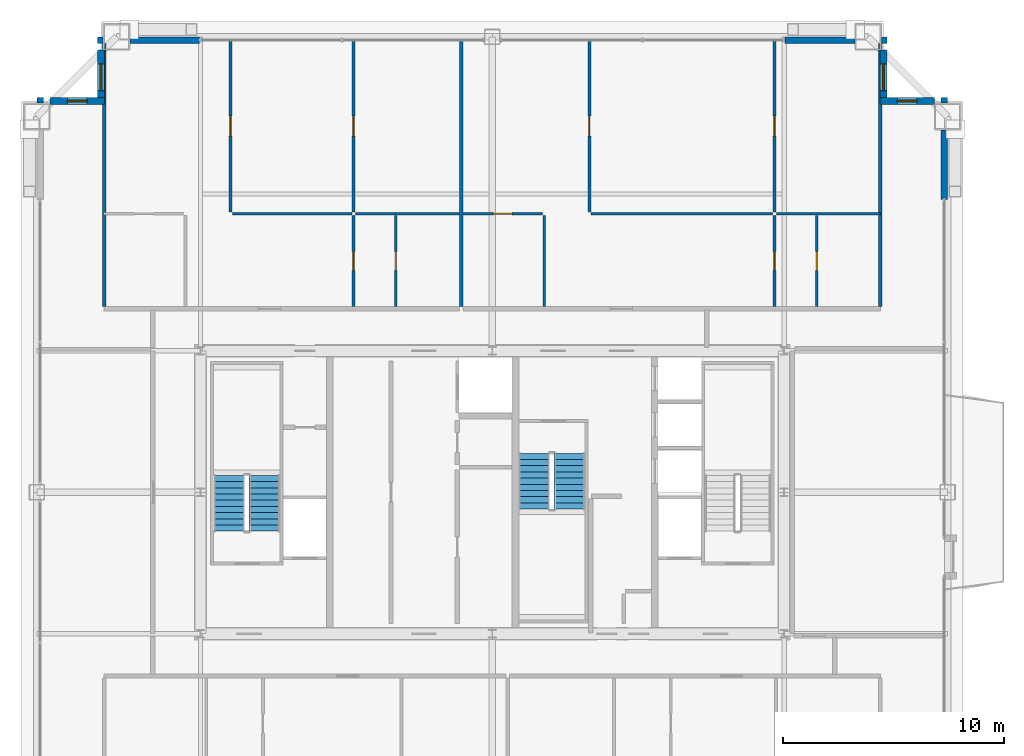
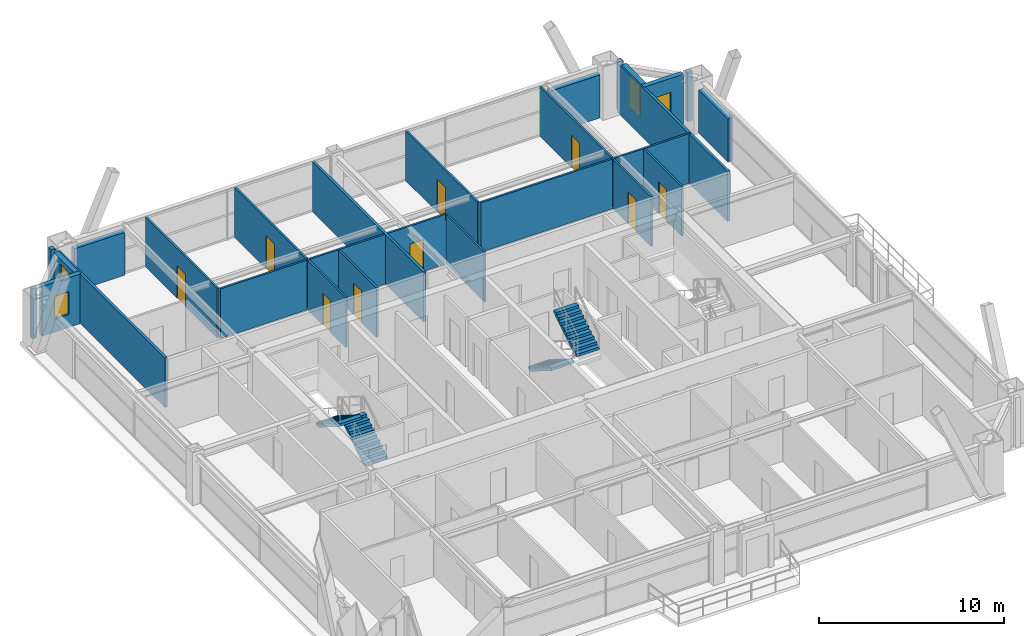
# One storey, part 35 of 37: 28 walls, 9 doors, 4 stair flights, 4 windows, 13 openings, 2 elements without a shape of their own.
"""IFC4 building model written with IfcOpenShell, lengths in metres."""

from ifc_helpers import new_model, si_unit, direction, frame, frame_2d, origin, place, context, subcontext, project, spatial, polyline, rectangle, outline, extrude, source, transform, mapped, material, layer, layer_set, type_object, element, fill, aggregate, save


model = new_model("IFC4")

# Units and contexts
model_context = context("Model", 3, precision=1e-05, world=origin(), true_north=direction((0.0, 1.0)))
body_context = subcontext(model_context, "Body", "Model", "MODEL_VIEW")
ifc_project = project(units=[si_unit("LENGTHUNIT", "METRE"), si_unit("AREAUNIT", "SQUARE_METRE"), si_unit("VOLUMEUNIT", "CUBIC_METRE"), si_unit("PLANEANGLEUNIT", "RADIAN"), si_unit("MASSUNIT", "GRAM", prefix="KILO"), si_unit("THERMODYNAMICTEMPERATUREUNIT", "KELVIN"), si_unit("POWERUNIT", "WATT")], contexts=[model_context])

# Site, building, storey
site_placement = place(None, origin())
site = spatial("IfcSite", under=ifc_project, at=site_placement, CompositionType="ELEMENT")
building_placement = place(site_placement, origin())
building = spatial("IfcBuilding", under=site, at=building_placement, Name="Yuzanri Waterfront Tower", CompositionType="ELEMENT")
storey_placement = place(building_placement, frame((0.0, 0.0, 278.60009765625)))
storey = spatial("IfcBuildingStorey", under=building, at=storey_placement, Name="L74", CompositionType="ELEMENT", Elevation=278.60009765625)

# Wall, opening, door
ifc_material_1 = material(Name="Moisture-Resistant Gypsum Stud Wall", Category="gypsum")
ifc_layer_1 = layer(ifc_material_1, 0.1201171875)
ifc_layer_set_1 = layer_set([ifc_layer_1], Name="Moisture-Resistant Gypsum Stud Wall")
wall_type_1 = type_object("IfcWallType", Name="Bathroom and Kitchen Wet Partition 120", PredefinedType="PARTITIONING", material=ifc_layer_set_1)
wall_1_placement = place(storey_placement, frame((32.635009765625, 34.2099609375, 0.0), z_axis=(0.0, 0.0, 1.0), x_axis=(0.0, 1.0, 0.0)))
wall_1 = element("IfcWall", 1, at=wall_1_placement, inside=storey, type_object=wall_type_1, Name="L74 Partition UW-L74-HN1-SUB-2-W", PredefinedType="PARTITIONING", context=body_context, shape_type="SweptSolid", body=[
    extrude(rectangle(XDim=4.110107421875, YDim=0.1201171875, at=frame_2d((2.05517578125, 0.0))), origin(), (0.0, 0.0, 1.0), 3.27978515625),
])
opening_1_placement = place(wall_1_placement, frame((1.6298828125, 0.0, 0.0)))
opening_1 = element("IfcOpeningElement", 2, at=opening_1_placement, cuts=wall_1, Name="Opening ID-0850", PredefinedType="OPENING", context=body_context, shape_type="SweptSolid", body=[
    extrude(rectangle(XDim=0.85009765625, YDim=2.10009765625, at=frame_2d((0.425048828125, 1.050048828125))), frame((0.0, 0.074951171875, 0.0), z_axis=(0.0, -1.0, 0.0), x_axis=(1.0, 0.0, 0.0)), (0.0, 0.0, 1.0), 0.14990234375),
])
ifc_material_2 = material(Name="Moisture-Resistant Lacquered Timber", Category="wood")
door_type_1 = type_object("IfcDoorType", Name="En-Suite Bathroom and Kitchen Swing Door 850x2100", OperationType="NOTDEFINED", PredefinedType="DOOR", material=ifc_material_2)
shared_shape_1 = source(origin(), body_context, "Body", "SweptSolid", [
    extrude(rectangle(XDim=0.85009765625, YDim=2.10009765625, at=frame_2d((0.425048828125, 1.050048828125))), frame((0.0, 0.02490234375, 0.0), z_axis=(0.0, -1.0, 0.0), x_axis=(1.0, 0.0, 0.0)), (0.0, 0.0, 1.0), 0.050048828125),
])
door_1_placement = place(opening_1_placement, origin())
door_1 = element("IfcDoor", 3, at=door_1_placement, inside=storey, type_object=door_type_1, Name="L74 Suite Interior Room Door", OperationType="SINGLE_SWING_LEFT", OverallHeight=2.10009765625, OverallWidth=0.85009765625, PredefinedType="DOOR", context=body_context, shape_type="MappedRepresentation", body=[
    mapped(shared_shape_1, transform((0.0, 0.0, 0.0), scale=1.0)),
])
fill(opening_1, door_1)

wall_2_placement = place(storey_placement, frame((30.722900390625, 38.47998046875, 0.0), z_axis=(0.0, 0.0, 1.0), x_axis=(0.0, 1.0, 0.0)))
wall_2 = element("IfcWall", 4, at=wall_2_placement, inside=storey, type_object=wall_type_1, Name="L74 Partition UW-L74-HN1-SUB-3-W", PredefinedType="PARTITIONING", context=body_context, shape_type="SweptSolid", body=[
    extrude(rectangle(XDim=7.77001953125, YDim=0.1201171875, at=frame_2d((3.885009765625, 0.0))), origin(), (0.0, 0.0, 1.0), 3.27978515625),
])
opening_2_placement = place(wall_2_placement, frame((3.43505859375, 0.0, 0.0)))
opening_2 = element("IfcOpeningElement", 5, at=opening_2_placement, cuts=wall_2, Name="Opening ID-0900", PredefinedType="OPENING", context=body_context, shape_type="SweptSolid", body=[
    extrude(rectangle(XDim=0.89990234375, YDim=2.14990234375, at=frame_2d((0.449951171875, 1.074951171875))), frame((0.0, 0.074951171875, 0.0), z_axis=(0.0, -1.0, 0.0), x_axis=(1.0, 0.0, 0.0)), (0.0, 0.0, 1.0), 0.14990234375),
])
ifc_material_3 = material(Name="Stained Walnut Veneer Timber", Category="wood")
door_type_2 = type_object("IfcDoorType", Name="Bedroom and Study Interior Swing Door 900x2150", OperationType="NOTDEFINED", PredefinedType="DOOR", material=ifc_material_3)
shared_shape_2 = source(origin(), body_context, "Body", "SweptSolid", [
    extrude(rectangle(XDim=0.89990234375, YDim=2.14990234375, at=frame_2d((0.449951171875, 1.074951171875))), frame((0.0, 0.02490234375, 0.0), z_axis=(0.0, -1.0, 0.0), x_axis=(1.0, 0.0, 0.0)), (0.0, 0.0, 1.0), 0.050048828125),
])
door_2_placement = place(opening_2_placement, origin())
door_2 = element("IfcDoor", 6, at=door_2_placement, inside=storey, type_object=door_type_2, Name="L74 Suite Interior Room Door", OperationType="SINGLE_SWING_RIGHT", OverallHeight=2.14990234375, OverallWidth=0.89990234375, PredefinedType="DOOR", context=body_context, shape_type="MappedRepresentation", body=[
    mapped(shared_shape_2, transform((0.0, 0.0, 0.0), scale=1.0)),
])
fill(opening_2, door_2)

wall_3_placement = place(storey_placement, frame((30.722900390625, 34.2099609375, 0.0), z_axis=(0.0, 0.0, 1.0), x_axis=(0.0, 1.0, 0.0)))
wall_3 = element("IfcWall", 7, at=wall_3_placement, inside=storey, type_object=wall_type_1, Name="L74 Partition UW-L74-HN1-SUB-4-W", PredefinedType="PARTITIONING", context=body_context, shape_type="SweptSolid", body=[
    extrude(rectangle(XDim=4.110107421875, YDim=0.1201171875, at=frame_2d((2.05517578125, 0.0))), origin(), (0.0, 0.0, 1.0), 3.27978515625),
])
opening_3_placement = place(wall_3_placement, frame((1.6298828125, 0.0, 0.0)))
opening_3 = element("IfcOpeningElement", 8, at=opening_3_placement, cuts=wall_3, Name="Opening ID-0850", PredefinedType="OPENING", context=body_context, shape_type="SweptSolid", body=[
    extrude(rectangle(XDim=0.85009765625, YDim=2.10009765625, at=frame_2d((0.425048828125, 1.050048828125))), frame((0.0, 0.074951171875, 0.0), z_axis=(0.0, -1.0, 0.0), x_axis=(1.0, 0.0, 0.0)), (0.0, 0.0, 1.0), 0.14990234375),
])
door_3_placement = place(opening_3_placement, origin())
door_3 = element("IfcDoor", 9, at=door_3_placement, inside=storey, type_object=door_type_1, Name="L74 Suite Interior Room Door", OperationType="SINGLE_SWING_LEFT", OverallHeight=2.10009765625, OverallWidth=0.85009765625, PredefinedType="DOOR", context=body_context, shape_type="MappedRepresentation", body=[
    mapped(shared_shape_1, transform((0.0, 0.0, 0.0), scale=1.0)),
])
fill(opening_3, door_3)

wall_4_placement = place(storey_placement, frame((25.159912109375, 38.47998046875, 0.0), z_axis=(0.0, 0.0, 1.0), x_axis=(0.0, 1.0, 0.0)))
wall_4 = element("IfcWall", 10, at=wall_4_placement, inside=storey, type_object=wall_type_1, Name="L74 Partition UW-L74-HN1-SUB-5-W", PredefinedType="PARTITIONING", context=body_context, shape_type="SweptSolid", body=[
    extrude(rectangle(XDim=7.77001953125, YDim=0.1201171875, at=frame_2d((3.885009765625, 0.0))), origin(), (0.0, 0.0, 1.0), 3.27978515625),
])
opening_4_placement = place(wall_4_placement, frame((3.43505859375, 0.0, 0.0)))
opening_4 = element("IfcOpeningElement", 11, at=opening_4_placement, cuts=wall_4, Name="Opening ID-0900", PredefinedType="OPENING", context=body_context, shape_type="SweptSolid", body=[
    extrude(rectangle(XDim=0.89990234375, YDim=2.14990234375, at=frame_2d((0.449951171875, 1.074951171875))), frame((0.0, 0.074951171875, 0.0), z_axis=(0.0, -1.0, 0.0), x_axis=(1.0, 0.0, 0.0)), (0.0, 0.0, 1.0), 0.14990234375),
])
door_4_placement = place(opening_4_placement, origin())
door_4 = element("IfcDoor", 12, at=door_4_placement, inside=storey, type_object=door_type_2, Name="L74 Suite Interior Room Door", OperationType="SINGLE_SWING_RIGHT", OverallHeight=2.14990234375, OverallWidth=0.89990234375, PredefinedType="DOOR", context=body_context, shape_type="MappedRepresentation", body=[
    mapped(shared_shape_2, transform((0.0, 0.0, 0.0), scale=1.0)),
])
fill(opening_4, door_4)

wall_5_placement = place(storey_placement, frame((35.675048828125, 38.39990234375, 0.0), z_axis=(0.0, 0.0, 1.0), x_axis=(1.0, 0.0, 0.0)))
wall_5 = element("IfcWall", 13, at=wall_5_placement, inside=storey, type_object=wall_type_1, Name="L74 Partition UW-L74-HN2-SUB-1-N", PredefinedType="PARTITIONING", context=body_context, shape_type="SweptSolid", body=[
    extrude(rectangle(XDim=3.599853515625, YDim=0.1201171875, at=frame_2d((1.7998046875, 0.0))), origin(), (0.0, 0.0, 1.0), 3.27978515625),
])
opening_5_placement = place(wall_5_placement, frame((1.375, 0.0, 0.0)))
opening_5 = element("IfcOpeningElement", 14, at=opening_5_placement, cuts=wall_5, Name="Opening ID-0850", PredefinedType="OPENING", context=body_context, shape_type="SweptSolid", body=[
    extrude(rectangle(XDim=0.85009765625, YDim=2.10009765625, at=frame_2d((0.425048828125, 1.050048828125))), frame((0.0, 0.074951171875, 0.0), z_axis=(0.0, -1.0, 0.0), x_axis=(1.0, 0.0, 0.0)), (0.0, 0.0, 1.0), 0.14990234375),
])
door_5_placement = place(opening_5_placement, origin())
door_5 = element("IfcDoor", 15, at=door_5_placement, inside=storey, type_object=door_type_1, Name="L74 Suite Interior Room Door", OperationType="SINGLE_SWING_RIGHT", OverallHeight=2.10009765625, OverallWidth=0.85009765625, PredefinedType="DOOR", context=body_context, shape_type="MappedRepresentation", body=[
    mapped(shared_shape_1, transform((0.0, 0.0, 0.0), scale=1.0)),
])
fill(opening_5, door_5)

wall_6_placement = place(storey_placement, frame((51.679931640625, 34.2099609375, 0.0), z_axis=(0.0, 0.0, 1.0), x_axis=(0.0, 1.0, 0.0)))
wall_6 = element("IfcWall", 16, at=wall_6_placement, inside=storey, type_object=wall_type_1, Name="L74 Partition UW-L74-HN2-SUB-2-W", PredefinedType="PARTITIONING", context=body_context, shape_type="SweptSolid", body=[
    extrude(rectangle(XDim=4.110107421875, YDim=0.1201171875, at=frame_2d((2.05517578125, 0.0))), origin(), (0.0, 0.0, 1.0), 3.27978515625),
])
opening_6_placement = place(wall_6_placement, frame((1.6298828125, 0.0, 0.0)))
opening_6 = element("IfcOpeningElement", 17, at=opening_6_placement, cuts=wall_6, Name="Opening ID-0850", PredefinedType="OPENING", context=body_context, shape_type="SweptSolid", body=[
    extrude(rectangle(XDim=0.85009765625, YDim=2.10009765625, at=frame_2d((0.425048828125, 1.050048828125))), frame((0.0, 0.074951171875, 0.0), z_axis=(0.0, -1.0, 0.0), x_axis=(1.0, 0.0, 0.0)), (0.0, 0.0, 1.0), 0.14990234375),
])
door_6_placement = place(opening_6_placement, origin())
door_6 = element("IfcDoor", 18, at=door_6_placement, inside=storey, type_object=door_type_1, Name="L74 Suite Interior Room Door", OperationType="SINGLE_SWING_LEFT", OverallHeight=2.10009765625, OverallWidth=0.85009765625, PredefinedType="DOOR", context=body_context, shape_type="MappedRepresentation", body=[
    mapped(shared_shape_1, transform((0.0, 0.0, 0.0), scale=1.0)),
])
fill(opening_6, door_6)

wall_7_placement = place(storey_placement, frame((49.76806640625, 38.47998046875, 0.0), z_axis=(0.0, 0.0, 1.0), x_axis=(0.0, 1.0, 0.0)))
wall_7 = element("IfcWall", 19, at=wall_7_placement, inside=storey, type_object=wall_type_1, Name="L74 Partition UW-L74-HN2-SUB-3-W", PredefinedType="PARTITIONING", context=body_context, shape_type="SweptSolid", body=[
    extrude(rectangle(XDim=7.77001953125, YDim=0.1201171875, at=frame_2d((3.885009765625, 0.0))), origin(), (0.0, 0.0, 1.0), 3.27978515625),
])
opening_7_placement = place(wall_7_placement, frame((3.43505859375, 0.0, 0.0)))
opening_7 = element("IfcOpeningElement", 20, at=opening_7_placement, cuts=wall_7, Name="Opening ID-0900", PredefinedType="OPENING", context=body_context, shape_type="SweptSolid", body=[
    extrude(rectangle(XDim=0.89990234375, YDim=2.14990234375, at=frame_2d((0.449951171875, 1.074951171875))), frame((0.0, 0.074951171875, 0.0), z_axis=(0.0, -1.0, 0.0), x_axis=(1.0, 0.0, 0.0)), (0.0, 0.0, 1.0), 0.14990234375),
])
door_7_placement = place(opening_7_placement, origin())
door_7 = element("IfcDoor", 21, at=door_7_placement, inside=storey, type_object=door_type_2, Name="L74 Suite Interior Room Door", OperationType="SINGLE_SWING_RIGHT", OverallHeight=2.14990234375, OverallWidth=0.89990234375, PredefinedType="DOOR", context=body_context, shape_type="MappedRepresentation", body=[
    mapped(shared_shape_2, transform((0.0, 0.0, 0.0), scale=1.0)),
])
fill(opening_7, door_7)

wall_8_placement = place(storey_placement, frame((49.76806640625, 34.2099609375, 0.0), z_axis=(0.0, 0.0, 1.0), x_axis=(0.0, 1.0, 0.0)))
wall_8 = element("IfcWall", 22, at=wall_8_placement, inside=storey, type_object=wall_type_1, Name="L74 Partition UW-L74-HN2-SUB-4-W", PredefinedType="PARTITIONING", context=body_context, shape_type="SweptSolid", body=[
    extrude(rectangle(XDim=4.110107421875, YDim=0.1201171875, at=frame_2d((2.05517578125, 0.0))), origin(), (0.0, 0.0, 1.0), 3.27978515625),
])
opening_8_placement = place(wall_8_placement, frame((1.6298828125, 0.0, 0.0)))
opening_8 = element("IfcOpeningElement", 23, at=opening_8_placement, cuts=wall_8, Name="Opening ID-0850", PredefinedType="OPENING", context=body_context, shape_type="SweptSolid", body=[
    extrude(rectangle(XDim=0.85009765625, YDim=2.10009765625, at=frame_2d((0.425048828125, 1.050048828125))), frame((0.0, 0.074951171875, 0.0), z_axis=(0.0, -1.0, 0.0), x_axis=(1.0, 0.0, 0.0)), (0.0, 0.0, 1.0), 0.14990234375),
])
door_8_placement = place(opening_8_placement, origin())
door_8 = element("IfcDoor", 24, at=door_8_placement, inside=storey, type_object=door_type_1, Name="L74 Suite Interior Room Door", OperationType="SINGLE_SWING_LEFT", OverallHeight=2.10009765625, OverallWidth=0.85009765625, PredefinedType="DOOR", context=body_context, shape_type="MappedRepresentation", body=[
    mapped(shared_shape_1, transform((0.0, 0.0, 0.0), scale=1.0)),
])
fill(opening_8, door_8)

wall_9_placement = place(storey_placement, frame((41.39501953125, 38.47998046875, 0.0), z_axis=(0.0, 0.0, 1.0), x_axis=(0.0, 1.0, 0.0)))
wall_9 = element("IfcWall", 25, at=wall_9_placement, inside=storey, type_object=wall_type_1, Name="L74 Partition UW-L74-HN2-SUB-5-W", PredefinedType="PARTITIONING", context=body_context, shape_type="SweptSolid", body=[
    extrude(rectangle(XDim=7.77001953125, YDim=0.1201171875, at=frame_2d((3.885009765625, 0.0))), origin(), (0.0, 0.0, 1.0), 3.27978515625),
])
opening_9_placement = place(wall_9_placement, frame((3.43505859375, 0.0, 0.0)))
opening_9 = element("IfcOpeningElement", 26, at=opening_9_placement, cuts=wall_9, Name="Opening ID-0900", PredefinedType="OPENING", context=body_context, shape_type="SweptSolid", body=[
    extrude(rectangle(XDim=0.89990234375, YDim=2.14990234375, at=frame_2d((0.449951171875, 1.074951171875))), frame((0.0, 0.074951171875, 0.0), z_axis=(0.0, -1.0, 0.0), x_axis=(1.0, 0.0, 0.0)), (0.0, 0.0, 1.0), 0.14990234375),
])
door_9_placement = place(opening_9_placement, origin())
door_9 = element("IfcDoor", 27, at=door_9_placement, inside=storey, type_object=door_type_2, Name="L74 Suite Interior Room Door", OperationType="SINGLE_SWING_RIGHT", OverallHeight=2.14990234375, OverallWidth=0.89990234375, PredefinedType="DOOR", context=body_context, shape_type="MappedRepresentation", body=[
    mapped(shared_shape_2, transform((0.0, 0.0, 0.0), scale=1.0)),
])
fill(opening_9, door_9)

# Wall, opening, window
ifc_material_4 = material(Name="Honed Chongqing Dark Basalt Stone", Category="masonry")
ifc_layer_2 = layer(ifc_material_4, 0.300048828125)
ifc_layer_set_2 = layer_set([ifc_layer_2], Name="Honed Chongqing Dark Basalt Stone")
wall_type_2 = type_object("IfcWallType", Name="Bronze Rainscreen Insulated Spandrel Portal Wall 300", PredefinedType="SOLIDWALL", material=ifc_layer_set_2)
wall_10_placement = place(storey_placement, frame((19.449951171875, 43.5, 0.0), z_axis=(0.0, 0.0, 1.0), x_axis=(-1.0, 0.0, 0.0)))
wall_10 = element("IfcWall", 28, at=wall_10_placement, inside=storey, type_object=wall_type_2, Name="L74 Notched Corner Masonry Wall NW-X", PredefinedType="SOLIDWALL", context=body_context, shape_type="SweptSolid", body=[
    extrude(rectangle(XDim=2.449951171875, YDim=0.300048828125, at=frame_2d((1.22509765625, 0.0))), origin(), (0.0, 0.0, 1.0), 3.27978515625),
])
opening_10_placement = place(wall_10_placement, frame((0.77490234375, 0.0, 0.85009765625)))
opening_10 = element("IfcOpeningElement", 29, at=opening_10_placement, cuts=wall_10, Name="Opening WN-05", PredefinedType="OPENING", context=body_context, shape_type="SweptSolid", body=[
    extrude(rectangle(XDim=0.89990234375, YDim=1.5, at=frame_2d((0.449951171875, 0.75))), frame((0.0, 0.1650390625, 0.0), z_axis=(0.0, -1.0, 0.0), x_axis=(1.0, 0.0, 0.0)), (0.0, 0.0, 1.0), 0.329833984375),
])
ifc_material_5 = material(Name="Double-Silver Low-E Insulated Glass", Category="glass")
window_type_1 = type_object("IfcWindowType", Name="Anodized Bronze Service and Stairwell Smoke-Vent Window 900x1500", PartitioningType="SINGLE_PANEL", PredefinedType="WINDOW", material=ifc_material_5)
shared_shape_3 = source(origin(), body_context, "Body", "SweptSolid", [
    extrude(rectangle(XDim=0.89990234375, YDim=1.5, at=frame_2d((0.449951171875, 0.75))), frame((0.0, 0.030029296875, 0.0), z_axis=(0.0, -1.0, 0.0), x_axis=(1.0, 0.0, 0.0)), (0.0, 0.0, 1.0), 0.06005859375),
])
window_1_placement = place(opening_10_placement, origin())
window_1 = element("IfcWindow", 30, at=window_1_placement, inside=storey, type_object=window_type_1, Name="L74 Notched Corner Window NW-X", OverallHeight=1.5, OverallWidth=0.89990234375, PartitioningType="SINGLE_PANEL", PredefinedType="WINDOW", context=body_context, shape_type="MappedRepresentation", body=[
    mapped(shared_shape_3, transform((0.0, 0.0, 0.0), scale=1.0)),
])
fill(opening_10, window_1)

wall_11_placement = place(storey_placement, frame((19.300048828125, 45.800048828125, 0.0), z_axis=(0.0, 0.0, 1.0), x_axis=(0.0, -1.0, 0.0)))
wall_11 = element("IfcWall", 31, at=wall_11_placement, inside=storey, type_object=wall_type_2, Name="L74 Notched Corner Masonry Wall NW-Y", PredefinedType="SOLIDWALL", context=body_context, shape_type="SweptSolid", body=[
    extrude(rectangle(XDim=2.449951171875, YDim=0.300048828125, at=frame_2d((1.22509765625, 0.0))), origin(), (0.0, 0.0, 1.0), 3.27978515625),
])
opening_11_placement = place(wall_11_placement, frame((0.625, 0.0, 0.85009765625)))
opening_11 = element("IfcOpeningElement", 32, at=opening_11_placement, cuts=wall_11, Name="Opening WN-02", PredefinedType="OPENING", context=body_context, shape_type="SweptSolid", body=[
    extrude(rectangle(XDim=1.199951171875, YDim=2.10009765625, at=frame_2d((0.60009765625, 1.050048828125))), frame((0.0, 0.1650390625, 0.0), z_axis=(0.0, -1.0, 0.0), x_axis=(1.0, 0.0, 0.0)), (0.0, 0.0, 1.0), 0.329833984375),
])
ifc_material_6 = material(Name="Double-Silver Low-E Insulated Glass", Category="glass")
window_type_2 = type_object("IfcWindowType", Name="Anodized Bronze Notched Corner Deep-Set Slot Window 1200x2100", PartitioningType="SINGLE_PANEL", PredefinedType="WINDOW", material=ifc_material_6)
shared_shape_4 = source(origin(), body_context, "Body", "SweptSolid", [
    extrude(rectangle(XDim=1.199951171875, YDim=2.10009765625, at=frame_2d((0.60009765625, 1.050048828125))), frame((0.0, 0.030029296875, 0.0), z_axis=(0.0, -1.0, 0.0), x_axis=(1.0, 0.0, 0.0)), (0.0, 0.0, 1.0), 0.06005859375),
])
window_2_placement = place(opening_11_placement, origin())
window_2 = element("IfcWindow", 33, at=window_2_placement, inside=storey, type_object=window_type_2, Name="L74 Notched Corner Window NW-Y", OverallHeight=2.10009765625, OverallWidth=1.199951171875, PartitioningType="SINGLE_PANEL", PredefinedType="WINDOW", context=body_context, shape_type="MappedRepresentation", body=[
    mapped(shared_shape_4, transform((0.0, 0.0, 0.0), scale=1.0)),
])
fill(opening_11, window_2)

wall_12_placement = place(storey_placement, frame((57.0, 43.5, 0.0), z_axis=(0.0, 0.0, 1.0), x_axis=(-1.0, 0.0, 0.0)))
wall_12 = element("IfcWall", 34, at=wall_12_placement, inside=storey, type_object=wall_type_2, Name="L74 Notched Corner Masonry Wall NE-X", PredefinedType="SOLIDWALL", context=body_context, shape_type="SweptSolid", body=[
    extrude(rectangle(XDim=2.449951171875, YDim=0.300048828125, at=frame_2d((1.22509765625, 0.0))), origin(), (0.0, 0.0, 1.0), 3.27978515625),
])
opening_12_placement = place(wall_12_placement, frame((0.77490234375, 0.0, 0.85009765625)))
opening_12 = element("IfcOpeningElement", 35, at=opening_12_placement, cuts=wall_12, Name="Opening WN-05", PredefinedType="OPENING", context=body_context, shape_type="SweptSolid", body=[
    extrude(rectangle(XDim=0.89990234375, YDim=1.5, at=frame_2d((0.449951171875, 0.75))), frame((0.0, 0.1650390625, 0.0), z_axis=(0.0, -1.0, 0.0), x_axis=(1.0, 0.0, 0.0)), (0.0, 0.0, 1.0), 0.329833984375),
])
window_3_placement = place(opening_12_placement, origin())
window_3 = element("IfcWindow", 36, at=window_3_placement, inside=storey, type_object=window_type_1, Name="L74 Notched Corner Window NE-X", OverallHeight=1.5, OverallWidth=0.89990234375, PartitioningType="SINGLE_PANEL", PredefinedType="WINDOW", context=body_context, shape_type="MappedRepresentation", body=[
    mapped(shared_shape_3, transform((0.0, 0.0, 0.0), scale=1.0)),
])
fill(opening_12, window_3)

wall_13_placement = place(storey_placement, frame((54.699951171875, 43.35009765625, 0.0), z_axis=(0.0, 0.0, 1.0), x_axis=(0.0, 1.0, 0.0)))
wall_13 = element("IfcWall", 37, at=wall_13_placement, inside=storey, type_object=wall_type_2, Name="L74 Notched Corner Masonry Wall NE-Y", PredefinedType="SOLIDWALL", context=body_context, shape_type="SweptSolid", body=[
    extrude(rectangle(XDim=2.449951171875, YDim=0.300048828125, at=frame_2d((1.22509765625, 0.0))), origin(), (0.0, 0.0, 1.0), 3.27978515625),
])
opening_13_placement = place(wall_13_placement, frame((0.625, 0.0, 0.85009765625)))
opening_13 = element("IfcOpeningElement", 38, at=opening_13_placement, cuts=wall_13, Name="Opening WN-02", PredefinedType="OPENING", context=body_context, shape_type="SweptSolid", body=[
    extrude(rectangle(XDim=1.199951171875, YDim=2.10009765625, at=frame_2d((0.60009765625, 1.050048828125))), frame((0.0, 0.1650390625, 0.0), z_axis=(0.0, -1.0, 0.0), x_axis=(1.0, 0.0, 0.0)), (0.0, 0.0, 1.0), 0.329833984375),
])
window_4_placement = place(opening_13_placement, origin())
window_4 = element("IfcWindow", 39, at=window_4_placement, inside=storey, type_object=window_type_2, Name="L74 Notched Corner Window NE-Y", OverallHeight=2.10009765625, OverallWidth=1.199951171875, PartitioningType="SINGLE_PANEL", PredefinedType="WINDOW", context=body_context, shape_type="MappedRepresentation", body=[
    mapped(shared_shape_4, transform((0.0, 0.0, 0.0), scale=1.0)),
])
fill(opening_13, window_4)

# Walls
shared_shape_5 = source(origin(), body_context, "Body", "SweptSolid", [
    extrude(rectangle(XDim=0.25, YDim=0.300048828125, at=frame_2d((0.125, 0.0))), origin(), (0.0, 0.0, 1.0), 3.27978515625),
])
for number, where, z_axis, x_axis, name in (
    (40, (19.14990234375, 46.25, 0.0), (0.0, 0.0, 1.0), (1.0, 0.0, 0.0), "L74 Corner Column Shoulder Return CNW"),
    (41, (54.60009765625, 46.25, 0.0), (0.0, 0.0, 1.0), (1.0, 0.0, 0.0), "L74 Corner Column Shoulder Return CNE"),
    (42, (16.550048828125, 43.39990234375, 0.0), (0.0, 0.0, 1.0), (0.0, 1.0, 0.0), "L74 Corner Column Shoulder Return CWN"),
    (43, (57.449951171875, 43.39990234375, 0.0), (0.0, 0.0, 1.0), (0.0, 1.0, 0.0), "L74 Corner Column Shoulder Return CEN"),
):
    element("IfcWall", number, at=place(storey_placement, frame(where, z_axis=z_axis, x_axis=x_axis)), inside=storey, type_object=wall_type_2, Name=name, PredefinedType="SOLIDWALL", context=body_context, shape_type="MappedRepresentation", body=[
        mapped(shared_shape_5, transform((0.0, 0.0, 0.0), scale=1.0)),
    ])
shared_shape_6 = source(origin(), body_context, "Body", "SweptSolid", [
    extrude(rectangle(XDim=3.14990234375, YDim=0.300048828125, at=frame_2d((1.574951171875, 0.0))), origin(), (0.0, 0.0, 1.0), 2.8349609375),
])
for number, where, z_axis, x_axis, name in (
    (44, (20.60009765625, 46.25, 0.0), (0.0, 0.0, 1.0), (1.0, 0.0, 0.0), "L74 N Left Braced Masonry Shoulder"),
    (45, (50.25, 46.25, 0.0), (0.0, 0.0, 1.0), (1.0, 0.0, 0.0), "L74 N Right Braced Masonry Shoulder"),
    (46, (57.449951171875, 39.050048828125, 0.0), (0.0, 0.0, 1.0), (0.0, 1.0, 0.0), "L74 E Right Braced Masonry Shoulder"),
):
    element("IfcWall", number, at=place(storey_placement, frame(where, z_axis=z_axis, x_axis=x_axis)), inside=storey, type_object=wall_type_2, Name=name, PredefinedType="SOLIDWALL", context=body_context, shape_type="MappedRepresentation", body=[
        mapped(shared_shape_6, transform((0.0, 0.0, 0.0), scale=1.0)),
    ])
ifc_material_7 = material(Name="Gypsum Fireboard Acoustic Stud Wall", Category="gypsum")
ifc_layer_3 = layer(ifc_material_7, 0.159912109375)
ifc_layer_set_3 = layer_set([ifc_layer_3], Name="Gypsum Fireboard Acoustic Stud Wall")
wall_type_3 = type_object("IfcWallType", Name="Acoustic Suite Demising Partition 160", PredefinedType="PARTITIONING", material=ifc_layer_set_3)
shared_shape_7 = source(origin(), body_context, "Body", "SweptSolid", [
    extrude(rectangle(XDim=11.89013671875, YDim=0.159912109375, at=frame_2d((5.945068359375, 0.0))), origin(), (0.0, 0.0, 1.0), 3.27978515625),
])
for number, where, z_axis, x_axis, name in (
    (47, (19.449951171875, 34.2099609375, 0.0), (0.0, 0.0, 1.0), (0.0, 1.0, 0.0), "L74 North Band West End Wall"),
    (48, (54.550048828125, 34.2099609375, 0.0), (0.0, 0.0, 1.0), (0.0, 1.0, 0.0), "L74 North Band East End Wall"),
):
    element("IfcWall", number, at=place(storey_placement, frame(where, z_axis=z_axis, x_axis=x_axis)), inside=storey, type_object=wall_type_3, Name=name, PredefinedType="PARTITIONING", context=body_context, shape_type="MappedRepresentation", body=[
        mapped(shared_shape_7, transform((0.0, 0.0, 0.0), scale=1.0)),
    ])
shared_shape_8 = source(origin(), body_context, "Body", "SweptSolid", [
    extrude(rectangle(XDim=12.0400390625, YDim=0.159912109375, at=frame_2d((6.02001953125, 0.0))), origin(), (0.0, 0.0, 1.0), 3.27978515625),
])
wall_14_placement = place(storey_placement, frame((35.594970703125, 34.2099609375, 0.0), z_axis=(0.0, 0.0, 1.0), x_axis=(0.0, 1.0, 0.0)))
element("IfcWall", 49, at=wall_14_placement, inside=storey, type_object=wall_type_3, Name="L74-HN1 Party Wall", PredefinedType="PARTITIONING", context=body_context, shape_type="MappedRepresentation", body=[
    mapped(shared_shape_8, transform((0.0, 0.0, 0.0), scale=1.0)),
])
shared_shape_9 = source(origin(), body_context, "Body", "SweptSolid", [
    extrude(rectangle(XDim=4.7119140625, YDim=0.1201171875, at=frame_2d((2.35595703125, 0.0))), origin(), (0.0, 0.0, 1.0), 3.27978515625),
])
wall_15_placement = place(storey_placement, frame((30.802978515625, 38.39990234375, 0.0), z_axis=(0.0, 0.0, 1.0), x_axis=(1.0, 0.0, 0.0)))
element("IfcWall", 50, at=wall_15_placement, inside=storey, type_object=wall_type_1, Name="L74 Partition UW-L74-HN1-SUB-3-S", PredefinedType="PARTITIONING", context=body_context, shape_type="MappedRepresentation", body=[
    mapped(shared_shape_9, transform((0.0, 0.0, 0.0), scale=1.0)),
])
shared_shape_10 = source(origin(), body_context, "Body", "SweptSolid", [
    extrude(rectangle(XDim=4.110107421875, YDim=0.1201171875, at=frame_2d((2.05517578125, 0.0))), origin(), (0.0, 0.0, 1.0), 3.27978515625),
])
wall_16_placement = place(storey_placement, frame((39.35498046875, 34.2099609375, 0.0), z_axis=(0.0, 0.0, 1.0), x_axis=(0.0, 1.0, 0.0)))
element("IfcWall", 51, at=wall_16_placement, inside=storey, type_object=wall_type_1, Name="L74 Partition UW-L74-HN2-SUB-1-E", PredefinedType="PARTITIONING", context=body_context, shape_type="MappedRepresentation", body=[
    mapped(shared_shape_10, transform((0.0, 0.0, 0.0), scale=1.0)),
])
shared_shape_11 = source(origin(), body_context, "Body", "SweptSolid", [
    extrude(rectangle(XDim=5.403076171875, YDim=0.1201171875, at=frame_2d((2.70166015625, 0.0))), origin(), (0.0, 0.0, 1.0), 3.27978515625),
])
wall_17_placement = place(storey_placement, frame((25.239990234375, 38.39990234375, 0.0), z_axis=(0.0, 0.0, 1.0), x_axis=(1.0, 0.0, 0.0)))
element("IfcWall", 52, at=wall_17_placement, inside=storey, type_object=wall_type_1, Name="L74 Partition UW-L74-HN1-SUB-5-S", PredefinedType="PARTITIONING", context=body_context, shape_type="MappedRepresentation", body=[
    mapped(shared_shape_11, transform((0.0, 0.0, 0.0), scale=1.0)),
])
shared_shape_12 = source(origin(), body_context, "Body", "SweptSolid", [
    extrude(rectangle(XDim=4.712158203125, YDim=0.1201171875, at=frame_2d((2.35595703125, 0.0))), origin(), (0.0, 0.0, 1.0), 3.27978515625),
])
wall_18_placement = place(storey_placement, frame((49.847900390625, 38.39990234375, 0.0), z_axis=(0.0, 0.0, 1.0), x_axis=(1.0, 0.0, 0.0)))
element("IfcWall", 53, at=wall_18_placement, inside=storey, type_object=wall_type_1, Name="L74 Partition UW-L74-HN2-SUB-3-S", PredefinedType="PARTITIONING", context=body_context, shape_type="MappedRepresentation", body=[
    mapped(shared_shape_12, transform((0.0, 0.0, 0.0), scale=1.0)),
])
shared_shape_13 = source(origin(), body_context, "Body", "SweptSolid", [
    extrude(rectangle(XDim=8.212890625, YDim=0.1201171875, at=frame_2d((4.1064453125, 0.0))), origin(), (0.0, 0.0, 1.0), 3.27978515625),
])
wall_19_placement = place(storey_placement, frame((41.47509765625, 38.39990234375, 0.0), z_axis=(0.0, 0.0, 1.0), x_axis=(1.0, 0.0, 0.0)))
element("IfcWall", 54, at=wall_19_placement, inside=storey, type_object=wall_type_1, Name="L74 Partition UW-L74-HN2-SUB-5-S", PredefinedType="PARTITIONING", context=body_context, shape_type="MappedRepresentation", body=[
    mapped(shared_shape_13, transform((0.0, 0.0, 0.0), scale=1.0)),
])

# Stair, stair flights
ifc_material_8 = material(Name="Concrete C40", Category="concrete")
stair_type = type_object("IfcStairType", Name="Concrete C40 Core Dogleg Exit Stair", PredefinedType="HALF_TURN_STAIR", material=ifc_material_8)
stair_1_placement = place(storey_placement, origin())
stair_1 = element("IfcStair", 55, at=stair_1_placement, inside=storey, type_object=stair_type, Name="L74 Smoke-Proof Core Stair ST-01", PredefinedType="HALF_TURN_STAIR")
ifc_material_9 = material(Name="Concrete C40", Category="concrete")
stair_flight_type = type_object("IfcStairFlightType", Name="Concrete C40 Precast Stair Flight 1380", PredefinedType="STRAIGHT", material=ifc_material_9)
shared_shape_14 = source(origin(), body_context, "Body", "SweptSolid", [
    extrude(outline(polyline([(0.0, 0.0), (0.0, 0.175048828125), (0.280029296875, 0.175048828125), (0.280029296875, 0.35009765625), (0.56005859375, 0.35009765625), (0.56005859375, 0.52490234375), (0.840087890625, 0.52490234375), (0.840087890625, 0.699951171875), (1.1201171875, 0.699951171875), (1.1201171875, 0.875), (1.39990234375, 0.875), (1.39990234375, 1.050048828125), (1.679931640625, 1.050048828125), (1.679931640625, 1.22509765625), (1.9599609375, 1.22509765625), (1.9599609375, 1.39990234375), (2.239990234375, 1.39990234375), (2.239990234375, 1.574951171875), (2.52001953125, 1.574951171875), (2.52001953125, 1.75), (2.52001953125, 1.398193359375), (0.28271484375, 0.0), (0.0, 0.0)])), frame((0.0, 0.699951171875, 0.0), z_axis=(0.0, -1.0, 0.0), x_axis=(1.0, 0.0, 0.0)), (0.0, 0.0, 1.0), 1.39990234375),
])
stair_flight_1_placement = place(storey_placement, frame((26.699951171875, 24.0400390625, 0.0), z_axis=(0.0, 0.0, 1.0), x_axis=(0.0, 1.0, 0.0)))
stair_flight_1 = element("IfcStairFlight", 56, at=stair_flight_1_placement, type_object=stair_flight_type, Name="ST-01 flight 1", NumberOfRisers=10, NumberOfTreads=9, PredefinedType="STRAIGHT", RiserHeight=0.175, TreadLength=0.28, context=body_context, shape_type="MappedRepresentation", body=[
    mapped(shared_shape_14, transform((0.0, 0.0, 0.0), scale=1.0)),
])
stair_flight_2_placement = place(storey_placement, frame((25.10009765625, 26.56005859375, 1.75), z_axis=(0.0, 0.0, 1.0), x_axis=(0.0, -1.0, 0.0)))
stair_flight_2 = element("IfcStairFlight", 57, at=stair_flight_2_placement, type_object=stair_flight_type, Name="ST-01 flight 2", NumberOfRisers=10, NumberOfTreads=9, PredefinedType="STRAIGHT", RiserHeight=0.175, TreadLength=0.28, context=body_context, shape_type="MappedRepresentation", body=[
    mapped(shared_shape_14, transform((0.0, 0.0, 0.0), scale=1.0)),
])
aggregate(stair_1, [stair_flight_1, stair_flight_2])

stair_2_placement = place(storey_placement, origin())
stair_2 = element("IfcStair", 58, at=stair_2_placement, inside=storey, type_object=stair_type, Name="L74 Smoke-Proof Core Stair ST-03", PredefinedType="HALF_TURN_STAIR")
stair_flight_3_placement = place(storey_placement, frame((38.89990234375, 27.56005859375, 0.0), z_axis=(0.0, 0.0, 1.0), x_axis=(0.0, -1.0, 0.0)))
stair_flight_3 = element("IfcStairFlight", 59, at=stair_flight_3_placement, type_object=stair_flight_type, Name="ST-03 flight 1", NumberOfRisers=10, NumberOfTreads=9, PredefinedType="STRAIGHT", RiserHeight=0.175, TreadLength=0.28, context=body_context, shape_type="MappedRepresentation", body=[
    mapped(shared_shape_14, transform((0.0, 0.0, 0.0), scale=1.0)),
])
stair_flight_4_placement = place(storey_placement, frame((40.5, 25.0400390625, 1.75), z_axis=(0.0, 0.0, 1.0), x_axis=(0.0, 1.0, 0.0)))
stair_flight_4 = element("IfcStairFlight", 60, at=stair_flight_4_placement, type_object=stair_flight_type, Name="ST-03 flight 2", NumberOfRisers=10, NumberOfTreads=9, PredefinedType="STRAIGHT", RiserHeight=0.175, TreadLength=0.28, context=body_context, shape_type="MappedRepresentation", body=[
    mapped(shared_shape_14, transform((0.0, 0.0, 0.0), scale=1.0)),
])
aggregate(stair_2, [stair_flight_3, stair_flight_4])

save(model, "model.ifc")
